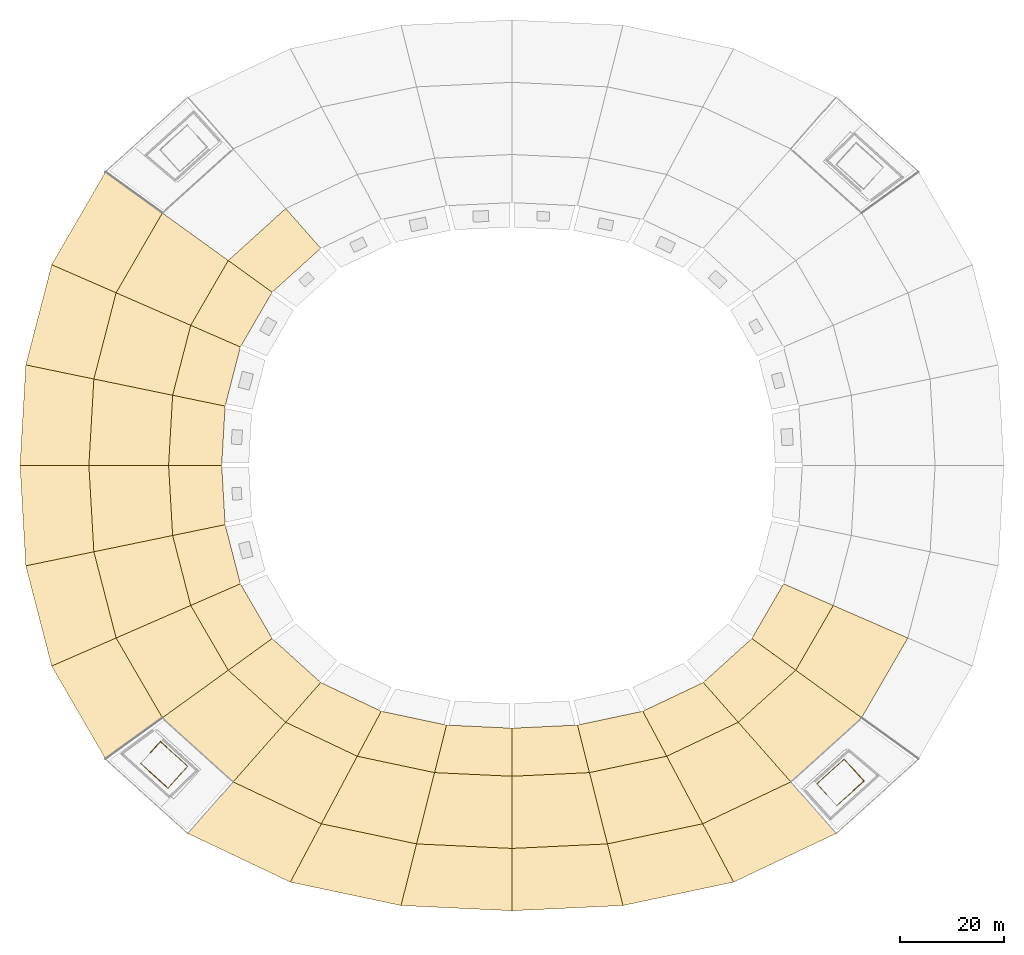
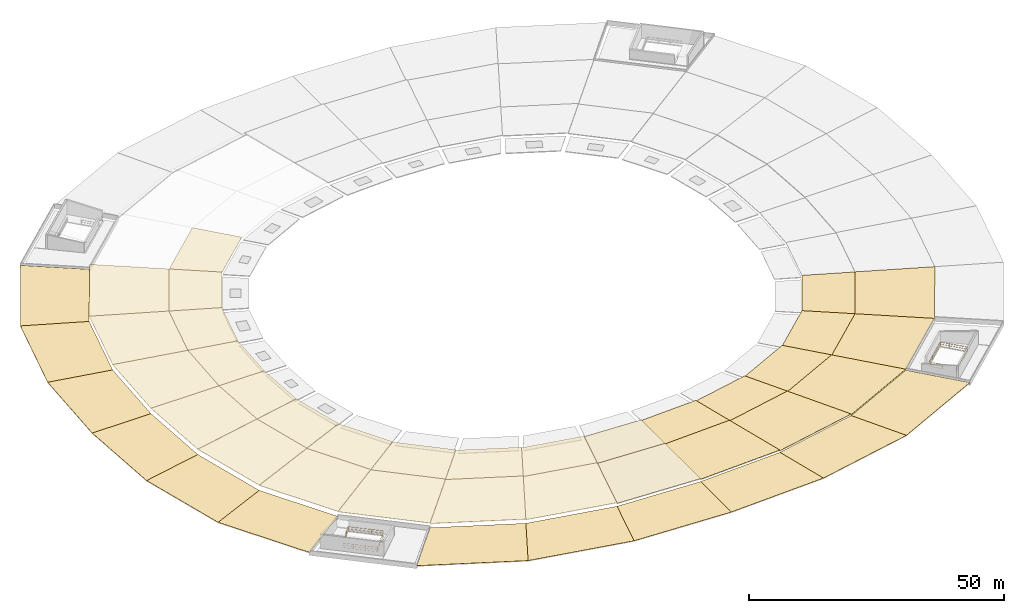
# One storey, part 4 of 5: 43 coverings, 2 railings.
"""IFC4 building model written with IfcOpenShell, lengths in metres."""

from ifc_helpers import new_model, si_unit, direction, frame, origin, origin_2d, place, context, subcontext, project, spatial, polyline, rectangle, outline, extrude, material, layer, layer_set, type_object, element, save


model = new_model("IFC4")

# Units and contexts
model_context = context("Model", 3, precision=1e-05, world=origin(), true_north=direction((0.0, 1.0)))
body_context = subcontext(model_context, "Body", "Model", "MODEL_VIEW")
ifc_project = project(units=[si_unit("LENGTHUNIT", "METRE"), si_unit("AREAUNIT", "SQUARE_METRE"), si_unit("VOLUMEUNIT", "CUBIC_METRE"), si_unit("PLANEANGLEUNIT", "RADIAN"), si_unit("MASSUNIT", "GRAM", prefix="KILO")], contexts=[model_context])

# Site, building, storey
site_placement = place(None, origin())
site = spatial("IfcSite", under=ifc_project, at=site_placement, CompositionType="ELEMENT")
building_placement = place(site_placement, origin())
building = spatial("IfcBuilding", under=site, at=building_placement, Name="Kazemori Nagisa Stadium", CompositionType="ELEMENT")
storey_placement = place(building_placement, frame((0.0, 0.0, 42.159912109375)))
storey = spatial("IfcBuildingStorey", under=building, at=storey_placement, Name="ROOF", CompositionType="ELEMENT", Elevation=42.159912109375)

# Coverings
ifc_material_1 = material(Name="PTFE architectural membrane", Category="membrane")
ifc_layer = layer(ifc_material_1, 0.0400390625, Name="PTFE architectural membrane", Category="membrane")
ifc_layer_set = layer_set([ifc_layer], Name="PTFE architectural membrane")
covering_type = type_object("IfcCoveringType", Name="Covering_PTFE", PredefinedType="ROOFING", material=ifc_layer_set)
covering_1_placement = place(storey_placement, frame((0.0, 0.0, 1.70703125)))
element("IfcCovering", 1, at=covering_1_placement, inside=storey, type_object=covering_type, Name="PTFE canopy membrane B11-inner", PredefinedType="ROOFING", context=body_context, shape_type="SweptSolid", body=[
    extrude(outline(polyline([(79.306640625, 151.59912109375), (68.210205078125, 141.553955078125), (76.687744140625, 135.433837890625), (86.067138671875, 143.9248046875), (79.306640625, 151.59912109375)])), origin(), (0.0, 0.0, 1.0), 0.0400390625),
])
covering_2_placement = place(storey_placement, frame((0.0, 0.0, 0.594970703125)))
element("IfcCovering", 2, at=covering_2_placement, inside=storey, type_object=covering_type, Name="PTFE canopy membrane B12-outer", PredefinedType="ROOFING", context=body_context, shape_type="SweptSolid", body=[
    extrude(outline(polyline([(44.504638671875, 158.667724609375), (34.114990234375, 140.74951171875), (46.55908203125, 135.32470703125), (55.493896484375, 150.734130859375), (44.504638671875, 158.667724609375)])), origin(), (0.0, 0.0, 1.0), 0.0400390625),
])
covering_3_placement = place(storey_placement, frame((0.0, 0.0, 1.79296875)))
element("IfcCovering", 3, at=covering_3_placement, inside=storey, type_object=covering_type, Name="PTFE canopy membrane B12-mid", PredefinedType="ROOFING", context=body_context, shape_type="SweptSolid", body=[
    extrude(outline(polyline([(55.493896484375, 150.734130859375), (46.55908203125, 135.32470703125), (60.958251953125, 129.047119140625), (68.210205078125, 141.553955078125), (55.493896484375, 150.734130859375)])), origin(), (0.0, 0.0, 1.0), 0.0400390625),
])
covering_4_placement = place(storey_placement, frame((0.0, 0.0, 1.79296875)))
element("IfcCovering", 4, at=covering_4_placement, inside=storey, type_object=covering_type, Name="PTFE canopy membrane B12-inner", PredefinedType="ROOFING", context=body_context, shape_type="SweptSolid", body=[
    extrude(outline(polyline([(68.210205078125, 141.553955078125), (60.958251953125, 129.047119140625), (70.557861328125, 124.8623046875), (76.687744140625, 135.433837890625), (68.210205078125, 141.553955078125)])), origin(), (0.0, 0.0, 1.0), 0.0400390625),
])
covering_5_placement = place(storey_placement, frame((0.0, 0.0, 0.594970703125)))
element("IfcCovering", 5, at=covering_5_placement, inside=storey, type_object=covering_type, Name="PTFE canopy membrane B13-outer", PredefinedType="ROOFING", context=body_context, shape_type="SweptSolid", body=[
    extrude(outline(polyline([(34.114990234375, 140.74951171875), (29.119140625, 121.397705078125), (42.262451171875, 118.68212890625), (46.55908203125, 135.32470703125), (34.114990234375, 140.74951171875)])), origin(), (0.0, 0.0, 1.0), 0.0400390625),
])
covering_6_placement = place(storey_placement, frame((0.0, 0.0, 1.84716796875)))
element("IfcCovering", 6, at=covering_6_placement, inside=storey, type_object=covering_type, Name="PTFE canopy membrane B13-mid", PredefinedType="ROOFING", context=body_context, shape_type="SweptSolid", body=[
    extrude(outline(polyline([(46.55908203125, 135.32470703125), (42.262451171875, 118.68212890625), (57.47119140625, 115.53955078125), (60.958251953125, 129.047119140625), (46.55908203125, 135.32470703125)])), origin(), (0.0, 0.0, 1.0), 0.0400390625),
])
covering_7_placement = place(storey_placement, frame((0.0, 0.0, 1.84716796875)))
element("IfcCovering", 7, at=covering_7_placement, inside=storey, type_object=covering_type, Name="PTFE canopy membrane B13-inner", PredefinedType="ROOFING", context=body_context, shape_type="SweptSolid", body=[
    extrude(outline(polyline([(60.958251953125, 129.047119140625), (57.47119140625, 115.53955078125), (67.6103515625, 113.444580078125), (70.557861328125, 124.8623046875), (60.958251953125, 129.047119140625)])), origin(), (0.0, 0.0, 1.0), 0.0400390625),
])
covering_8_placement = place(storey_placement, frame((0.0, 0.0, 0.594970703125)))
element("IfcCovering", 8, at=covering_8_placement, inside=storey, type_object=covering_type, Name="PTFE canopy membrane B14-outer", PredefinedType="ROOFING", context=body_context, shape_type="SweptSolid", body=[
    extrude(outline(polyline([(29.119140625, 121.397705078125), (28.0, 102.0), (41.300048828125, 102.0), (42.262451171875, 118.68212890625), (29.119140625, 121.397705078125)])), origin(), (0.0, 0.0, 1.0), 0.0400390625),
])
covering_9_placement = place(storey_placement, frame((0.0, 0.0, 1.864990234375)))
element("IfcCovering", 9, at=covering_9_placement, inside=storey, type_object=covering_type, Name="PTFE canopy membrane B14-mid", PredefinedType="ROOFING", context=body_context, shape_type="SweptSolid", body=[
    extrude(outline(polyline([(42.262451171875, 118.68212890625), (41.300048828125, 102.0), (56.68994140625, 102.0), (57.47119140625, 115.53955078125), (42.262451171875, 118.68212890625)])), origin(), (0.0, 0.0, 1.0), 0.0400390625),
])
covering_10_placement = place(storey_placement, frame((0.0, 0.0, 1.864990234375)))
element("IfcCovering", 10, at=covering_10_placement, inside=storey, type_object=covering_type, Name="PTFE canopy membrane B14-inner", PredefinedType="ROOFING", context=body_context, shape_type="SweptSolid", body=[
    extrude(outline(polyline([(57.47119140625, 115.53955078125), (56.68994140625, 102.0), (66.949951171875, 102.0), (67.6103515625, 113.444580078125), (57.47119140625, 115.53955078125)])), origin(), (0.0, 0.0, 1.0), 0.0400390625),
])
covering_11_placement = place(storey_placement, frame((0.0, 0.0, 0.594970703125)))
element("IfcCovering", 11, at=covering_11_placement, inside=storey, type_object=covering_type, Name="PTFE canopy membrane B15-outer", PredefinedType="ROOFING", context=body_context, shape_type="SweptSolid", body=[
    extrude(outline(polyline([(28.0, 102.0), (29.119140625, 82.602294921875), (42.262451171875, 85.31787109375), (41.300048828125, 102.0), (28.0, 102.0)])), origin(), (0.0, 0.0, 1.0), 0.0400390625),
])
covering_12_placement = place(storey_placement, frame((0.0, 0.0, 1.864990234375)))
element("IfcCovering", 12, at=covering_12_placement, inside=storey, type_object=covering_type, Name="PTFE canopy membrane B15-mid", PredefinedType="ROOFING", context=body_context, shape_type="SweptSolid", body=[
    extrude(outline(polyline([(41.300048828125, 102.0), (42.262451171875, 85.31787109375), (57.47119140625, 88.46044921875), (56.68994140625, 102.0), (41.300048828125, 102.0)])), origin(), (0.0, 0.0, 1.0), 0.0400390625),
])
covering_13_placement = place(storey_placement, frame((0.0, 0.0, 1.864990234375)))
element("IfcCovering", 13, at=covering_13_placement, inside=storey, type_object=covering_type, Name="PTFE canopy membrane B15-inner", PredefinedType="ROOFING", context=body_context, shape_type="SweptSolid", body=[
    extrude(outline(polyline([(56.68994140625, 102.0), (57.47119140625, 88.46044921875), (67.6103515625, 90.555419921875), (66.949951171875, 102.0), (56.68994140625, 102.0)])), origin(), (0.0, 0.0, 1.0), 0.0400390625),
])
covering_14_placement = place(storey_placement, frame((0.0, 0.0, 0.594970703125)))
element("IfcCovering", 14, at=covering_14_placement, inside=storey, type_object=covering_type, Name="PTFE canopy membrane B16-outer", PredefinedType="ROOFING", context=body_context, shape_type="SweptSolid", body=[
    extrude(outline(polyline([(29.119140625, 82.602294921875), (34.114990234375, 63.25048828125), (46.55908203125, 68.67529296875), (42.262451171875, 85.31787109375), (29.119140625, 82.602294921875)])), origin(), (0.0, 0.0, 1.0), 0.0400390625),
])
covering_15_placement = place(storey_placement, frame((0.0, 0.0, 1.84716796875)))
element("IfcCovering", 15, at=covering_15_placement, inside=storey, type_object=covering_type, Name="PTFE canopy membrane B16-mid", PredefinedType="ROOFING", context=body_context, shape_type="SweptSolid", body=[
    extrude(outline(polyline([(42.262451171875, 85.31787109375), (46.55908203125, 68.67529296875), (60.958251953125, 74.952880859375), (57.47119140625, 88.46044921875), (42.262451171875, 85.31787109375)])), origin(), (0.0, 0.0, 1.0), 0.0400390625),
])
covering_16_placement = place(storey_placement, frame((0.0, 0.0, 1.84716796875)))
element("IfcCovering", 16, at=covering_16_placement, inside=storey, type_object=covering_type, Name="PTFE canopy membrane B16-inner", PredefinedType="ROOFING", context=body_context, shape_type="SweptSolid", body=[
    extrude(outline(polyline([(57.47119140625, 88.46044921875), (60.958251953125, 74.952880859375), (70.557861328125, 79.1376953125), (67.6103515625, 90.555419921875), (57.47119140625, 88.46044921875)])), origin(), (0.0, 0.0, 1.0), 0.0400390625),
])
covering_17_placement = place(storey_placement, frame((0.0, 0.0, 0.594970703125)))
element("IfcCovering", 17, at=covering_17_placement, inside=storey, type_object=covering_type, Name="PTFE canopy membrane B17-outer", PredefinedType="ROOFING", context=body_context, shape_type="SweptSolid", body=[
    extrude(outline(polyline([(34.114990234375, 63.25048828125), (44.504638671875, 45.332275390625), (55.493896484375, 53.265869140625), (46.55908203125, 68.67529296875), (34.114990234375, 63.25048828125)])), origin(), (0.0, 0.0, 1.0), 0.0400390625),
])
covering_18_placement = place(storey_placement, frame((0.0, 0.0, 1.79296875)))
element("IfcCovering", 18, at=covering_18_placement, inside=storey, type_object=covering_type, Name="PTFE canopy membrane B17-mid", PredefinedType="ROOFING", context=body_context, shape_type="SweptSolid", body=[
    extrude(outline(polyline([(46.55908203125, 68.67529296875), (55.493896484375, 53.265869140625), (68.210205078125, 62.446044921875), (60.958251953125, 74.952880859375), (46.55908203125, 68.67529296875)])), origin(), (0.0, 0.0, 1.0), 0.0400390625),
])
covering_19_placement = place(storey_placement, frame((0.0, 0.0, 1.79296875)))
element("IfcCovering", 19, at=covering_19_placement, inside=storey, type_object=covering_type, Name="PTFE canopy membrane B17-inner", PredefinedType="ROOFING", context=body_context, shape_type="SweptSolid", body=[
    extrude(outline(polyline([(60.958251953125, 74.952880859375), (68.210205078125, 62.446044921875), (76.687744140625, 68.566162109375), (70.557861328125, 79.1376953125), (60.958251953125, 74.952880859375)])), origin(), (0.0, 0.0, 1.0), 0.0400390625),
])
covering_20_placement = place(storey_placement, frame((0.0, 0.0, 1.70703125)))
element("IfcCovering", 20, at=covering_20_placement, inside=storey, type_object=covering_type, Name="PTFE canopy membrane B18-mid", PredefinedType="ROOFING", context=body_context, shape_type="SweptSolid", body=[
    extrude(outline(polyline([(55.493896484375, 53.265869140625), (69.165771484375, 40.88916015625), (79.306640625, 52.40087890625), (68.210205078125, 62.446044921875), (55.493896484375, 53.265869140625)])), origin(), (0.0, 0.0, 1.0), 0.0400390625),
])
covering_21_placement = place(storey_placement, frame((0.0, 0.0, 1.70703125)))
element("IfcCovering", 21, at=covering_21_placement, inside=storey, type_object=covering_type, Name="PTFE canopy membrane B18-inner", PredefinedType="ROOFING", context=body_context, shape_type="SweptSolid", body=[
    extrude(outline(polyline([(68.210205078125, 62.446044921875), (79.306640625, 52.40087890625), (86.067138671875, 60.0751953125), (76.687744140625, 68.566162109375), (68.210205078125, 62.446044921875)])), origin(), (0.0, 0.0, 1.0), 0.0400390625),
])
covering_22_placement = place(storey_placement, frame((0.0, 0.0, 0.594970703125)))
element("IfcCovering", 22, at=covering_22_placement, inside=storey, type_object=covering_type, Name="PTFE canopy membrane B19-outer", PredefinedType="ROOFING", context=body_context, shape_type="SweptSolid", body=[
    extrude(outline(polyline([(60.402099609375, 30.94091796875), (80.1953125, 21.53564453125), (86.18798828125, 32.80078125), (69.165771484375, 40.88916015625), (60.402099609375, 30.94091796875)])), origin(), (0.0, 0.0, 1.0), 0.0400390625),
])
covering_23_placement = place(storey_placement, frame((0.0, 0.0, 1.592041015625)))
element("IfcCovering", 23, at=covering_23_placement, inside=storey, type_object=covering_type, Name="PTFE canopy membrane B19-mid", PredefinedType="ROOFING", context=body_context, shape_type="SweptSolid", body=[
    extrude(outline(polyline([(69.165771484375, 40.88916015625), (86.18798828125, 32.80078125), (93.122314453125, 45.8359375), (79.306640625, 52.40087890625), (69.165771484375, 40.88916015625)])), origin(), (0.0, 0.0, 1.0), 0.0400390625),
])
covering_24_placement = place(storey_placement, frame((0.0, 0.0, 1.592041015625)))
element("IfcCovering", 24, at=covering_24_placement, inside=storey, type_object=covering_type, Name="PTFE canopy membrane B19-inner", PredefinedType="ROOFING", context=body_context, shape_type="SweptSolid", body=[
    extrude(outline(polyline([(79.306640625, 52.40087890625), (93.122314453125, 45.8359375), (97.7451171875, 54.526123046875), (86.067138671875, 60.0751953125), (79.306640625, 52.40087890625)])), origin(), (0.0, 0.0, 1.0), 0.0400390625),
])
covering_25_placement = place(storey_placement, frame((0.0, 0.0, 0.594970703125)))
element("IfcCovering", 25, at=covering_25_placement, inside=storey, type_object=covering_type, Name="PTFE canopy membrane B20-outer", PredefinedType="ROOFING", context=body_context, shape_type="SweptSolid", body=[
    extrude(outline(polyline([(80.1953125, 21.53564453125), (101.572265625, 17.01318359375), (104.572265625, 28.911376953125), (86.18798828125, 32.80078125), (80.1953125, 21.53564453125)])), origin(), (0.0, 0.0, 1.0), 0.0400390625),
])
covering_26_placement = place(storey_placement, frame((0.0, 0.0, 1.455078125)))
element("IfcCovering", 26, at=covering_26_placement, inside=storey, type_object=covering_type, Name="PTFE canopy membrane B20-mid", PredefinedType="ROOFING", context=body_context, shape_type="SweptSolid", body=[
    extrude(outline(polyline([(86.18798828125, 32.80078125), (104.572265625, 28.911376953125), (108.04345703125, 42.67919921875), (93.122314453125, 45.8359375), (86.18798828125, 32.80078125)])), origin(), (0.0, 0.0, 1.0), 0.0400390625),
])
covering_27_placement = place(storey_placement, frame((0.0, 0.0, 1.455078125)))
element("IfcCovering", 27, at=covering_27_placement, inside=storey, type_object=covering_type, Name="PTFE canopy membrane B20-inner", PredefinedType="ROOFING", context=body_context, shape_type="SweptSolid", body=[
    extrude(outline(polyline([(93.122314453125, 45.8359375), (108.04345703125, 42.67919921875), (110.357666015625, 51.857666015625), (97.7451171875, 54.526123046875), (93.122314453125, 45.8359375)])), origin(), (0.0, 0.0, 1.0), 0.0400390625),
])
covering_28_placement = place(storey_placement, frame((0.0, 0.0, 0.594970703125)))
element("IfcCovering", 28, at=covering_28_placement, inside=storey, type_object=covering_type, Name="PTFE canopy membrane B21-outer", PredefinedType="ROOFING", context=body_context, shape_type="SweptSolid", body=[
    extrude(outline(polyline([(101.572265625, 17.01318359375), (123.0, 16.0), (123.0, 28.0400390625), (104.572265625, 28.911376953125), (101.572265625, 17.01318359375)])), origin(), (0.0, 0.0, 1.0), 0.0400390625),
])
covering_29_placement = place(storey_placement, frame((0.0, 0.0, 1.301025390625)))
element("IfcCovering", 29, at=covering_29_placement, inside=storey, type_object=covering_type, Name="PTFE canopy membrane B21-mid", PredefinedType="ROOFING", context=body_context, shape_type="SweptSolid", body=[
    extrude(outline(polyline([(104.572265625, 28.911376953125), (123.0, 28.0400390625), (123.0, 41.971923828125), (108.04345703125, 42.67919921875), (104.572265625, 28.911376953125)])), origin(), (0.0, 0.0, 1.0), 0.0400390625),
])
covering_30_placement = place(storey_placement, frame((0.0, 0.0, 1.301025390625)))
element("IfcCovering", 30, at=covering_30_placement, inside=storey, type_object=covering_type, Name="PTFE canopy membrane B21-inner", PredefinedType="ROOFING", context=body_context, shape_type="SweptSolid", body=[
    extrude(outline(polyline([(108.04345703125, 42.67919921875), (123.0, 41.971923828125), (123.0, 51.260009765625), (110.357666015625, 51.857666015625), (108.04345703125, 42.67919921875)])), origin(), (0.0, 0.0, 1.0), 0.0400390625),
])
covering_31_placement = place(storey_placement, frame((0.0, 0.0, 0.594970703125)))
element("IfcCovering", 31, at=covering_31_placement, inside=storey, type_object=covering_type, Name="PTFE canopy membrane B22-outer", PredefinedType="ROOFING", context=body_context, shape_type="SweptSolid", body=[
    extrude(outline(polyline([(123.0, 16.0), (144.427734375, 17.01318359375), (141.427734375, 28.911376953125), (123.0, 28.0400390625), (123.0, 16.0)])), origin(), (0.0, 0.0, 1.0), 0.0400390625),
])
covering_32_placement = place(storey_placement, frame((0.0, 0.0, 1.14013671875)))
element("IfcCovering", 32, at=covering_32_placement, inside=storey, type_object=covering_type, Name="PTFE canopy membrane B22-mid", PredefinedType="ROOFING", context=body_context, shape_type="SweptSolid", body=[
    extrude(outline(polyline([(123.0, 28.0400390625), (141.427734375, 28.911376953125), (137.95654296875, 42.67919921875), (123.0, 41.971923828125), (123.0, 28.0400390625)])), origin(), (0.0, 0.0, 1.0), 0.0400390625),
])
covering_33_placement = place(storey_placement, frame((0.0, 0.0, 1.14013671875)))
element("IfcCovering", 33, at=covering_33_placement, inside=storey, type_object=covering_type, Name="PTFE canopy membrane B22-inner", PredefinedType="ROOFING", context=body_context, shape_type="SweptSolid", body=[
    extrude(outline(polyline([(123.0, 41.971923828125), (137.95654296875, 42.67919921875), (135.642333984375, 51.857666015625), (123.0, 51.260009765625), (123.0, 41.971923828125)])), origin(), (0.0, 0.0, 1.0), 0.0400390625),
])
covering_34_placement = place(storey_placement, frame((0.0, 0.0, 0.594970703125)))
element("IfcCovering", 34, at=covering_34_placement, inside=storey, type_object=covering_type, Name="PTFE canopy membrane B23-outer", PredefinedType="ROOFING", context=body_context, shape_type="SweptSolid", body=[
    extrude(outline(polyline([(144.427734375, 17.01318359375), (165.8046875, 21.53564453125), (159.81201171875, 32.80078125), (141.427734375, 28.911376953125), (144.427734375, 17.01318359375)])), origin(), (0.0, 0.0, 1.0), 0.0400390625),
])
covering_35_placement = place(storey_placement, frame((0.0, 0.0, 0.97900390625)))
element("IfcCovering", 35, at=covering_35_placement, inside=storey, type_object=covering_type, Name="PTFE canopy membrane B23-mid", PredefinedType="ROOFING", context=body_context, shape_type="SweptSolid", body=[
    extrude(outline(polyline([(141.427734375, 28.911376953125), (159.81201171875, 32.80078125), (152.877685546875, 45.8359375), (137.95654296875, 42.67919921875), (141.427734375, 28.911376953125)])), origin(), (0.0, 0.0, 1.0), 0.0400390625),
])
covering_36_placement = place(storey_placement, frame((0.0, 0.0, 0.97900390625)))
element("IfcCovering", 36, at=covering_36_placement, inside=storey, type_object=covering_type, Name="PTFE canopy membrane B23-inner", PredefinedType="ROOFING", context=body_context, shape_type="SweptSolid", body=[
    extrude(outline(polyline([(137.95654296875, 42.67919921875), (152.877685546875, 45.8359375), (148.2548828125, 54.526123046875), (135.642333984375, 51.857666015625), (137.95654296875, 42.67919921875)])), origin(), (0.0, 0.0, 1.0), 0.0400390625),
])
covering_37_placement = place(storey_placement, frame((0.0, 0.0, 0.594970703125)))
element("IfcCovering", 37, at=covering_37_placement, inside=storey, type_object=covering_type, Name="PTFE canopy membrane B24-outer", PredefinedType="ROOFING", context=body_context, shape_type="SweptSolid", body=[
    extrude(outline(polyline([(165.8046875, 21.53564453125), (185.597900390625, 30.94091796875), (176.834228515625, 40.88916015625), (159.81201171875, 32.80078125), (165.8046875, 21.53564453125)])), origin(), (0.0, 0.0, 1.0), 0.0400390625),
])
covering_38_placement = place(storey_placement, frame((0.0, 0.0, 0.8251953125)))
element("IfcCovering", 38, at=covering_38_placement, inside=storey, type_object=covering_type, Name="PTFE canopy membrane B24-mid", PredefinedType="ROOFING", context=body_context, shape_type="SweptSolid", body=[
    extrude(outline(polyline([(159.81201171875, 32.80078125), (176.834228515625, 40.88916015625), (166.693359375, 52.40087890625), (152.877685546875, 45.8359375), (159.81201171875, 32.80078125)])), origin(), (0.0, 0.0, 1.0), 0.039794921875),
])
covering_39_placement = place(storey_placement, frame((0.0, 0.0, 0.8251953125)))
element("IfcCovering", 39, at=covering_39_placement, inside=storey, type_object=covering_type, Name="PTFE canopy membrane B24-inner", PredefinedType="ROOFING", context=body_context, shape_type="SweptSolid", body=[
    extrude(outline(polyline([(152.877685546875, 45.8359375), (166.693359375, 52.40087890625), (159.932861328125, 60.0751953125), (148.2548828125, 54.526123046875), (152.877685546875, 45.8359375)])), origin(), (0.0, 0.0, 1.0), 0.039794921875),
])
covering_40_placement = place(storey_placement, frame((0.0, 0.0, 0.68798828125)))
element("IfcCovering", 40, at=covering_40_placement, inside=storey, type_object=covering_type, Name="PTFE canopy membrane B25-mid", PredefinedType="ROOFING", context=body_context, shape_type="SweptSolid", body=[
    extrude(outline(polyline([(176.834228515625, 40.88916015625), (190.506103515625, 53.265869140625), (177.789794921875, 62.446044921875), (166.693359375, 52.40087890625), (176.834228515625, 40.88916015625)])), origin(), (0.0, 0.0, 1.0), 0.0400390625),
])
covering_41_placement = place(storey_placement, frame((0.0, 0.0, 0.68798828125)))
element("IfcCovering", 41, at=covering_41_placement, inside=storey, type_object=covering_type, Name="PTFE canopy membrane B25-inner", PredefinedType="ROOFING", context=body_context, shape_type="SweptSolid", body=[
    extrude(outline(polyline([(166.693359375, 52.40087890625), (177.789794921875, 62.446044921875), (169.312255859375, 68.566162109375), (159.932861328125, 60.0751953125), (166.693359375, 52.40087890625)])), origin(), (0.0, 0.0, 1.0), 0.0400390625),
])
covering_42_placement = place(storey_placement, frame((0.0, 0.0, 0.594970703125)))
element("IfcCovering", 42, at=covering_42_placement, inside=storey, type_object=covering_type, Name="PTFE canopy membrane B26-mid", PredefinedType="ROOFING", context=body_context, shape_type="SweptSolid", body=[
    extrude(outline(polyline([(190.506103515625, 53.265869140625), (199.44091796875, 68.67529296875), (185.041748046875, 74.952880859375), (177.789794921875, 62.446044921875), (190.506103515625, 53.265869140625)])), origin(), (0.0, 0.0, 1.0), 0.0400390625),
])
covering_43_placement = place(storey_placement, frame((0.0, 0.0, 0.572998046875)))
element("IfcCovering", 43, at=covering_43_placement, inside=storey, type_object=covering_type, Name="PTFE canopy membrane B26-inner", PredefinedType="ROOFING", context=body_context, shape_type="SweptSolid", body=[
    extrude(outline(polyline([(177.789794921875, 62.446044921875), (185.041748046875, 74.952880859375), (175.442138671875, 79.1376953125), (169.312255859375, 68.566162109375), (177.789794921875, 62.446044921875)])), origin(), (0.0, 0.0, 1.0), 0.0400390625),
])

# Railings
ifc_material_2 = material(Name="Galvanised powder-coated steel", Category="steel")
railing_type = type_object("IfcRailingType", Name="Rail_GUARD", PredefinedType="GUARDRAIL", material=ifc_material_2)
railing_1_placement = place(storey_placement, frame((53.2109375, 46.552978515625, 0.0)))
element("IfcRailing", 44, at=railing_1_placement, inside=storey, type_object=railing_type, Name="Stair well perimeter guard ST03-ROOF", PredefinedType="GUARDRAIL", context=body_context, shape_type="SweptSolid", body=[
    extrude(rectangle(XDim=0.050048828125, YDim=0.050048828125, at=origin_2d()), frame((0.0, 0.0, 1.09521484375), z_axis=(0.671110696127, 0.741357156534, 0.0), x_axis=(-0.741357156534, 0.671110696127, 0.0)), (0.0, 0.0, 1.0), 2.849853515625),
    extrude(rectangle(XDim=0.03759765625, YDim=0.03759765625, at=origin_2d()), frame((0.0, 0.0, 0.58251953125), z_axis=(0.671110696127, 0.741357156534, 0.0), x_axis=(-0.741357156534, 0.671110696127, 0.0)), (0.0, 0.0, 1.0), 2.849853515625),
    extrude(rectangle(XDim=0.03759765625, YDim=0.03759765625, at=origin_2d()), frame((0.0, 0.0, 0.02490234375), z_axis=(0.671110696127, 0.741357156534, 0.0), x_axis=(-0.741357156534, 0.671110696127, 0.0)), (0.0, 0.0, 1.0), 2.849853515625),
    extrude(rectangle(XDim=0.050048828125, YDim=0.050048828125, at=origin_2d()), frame((1.91259765625, 2.11279296875, 1.09521484375), z_axis=(0.741349073354, -0.671119625281, 0.0), x_axis=(0.671119625281, 0.741349073354, 0.0)), (0.0, 0.0, 1.0), 7.09521484375),
    extrude(rectangle(XDim=0.03759765625, YDim=0.03759765625, at=origin_2d()), frame((1.91259765625, 2.11279296875, 0.58251953125), z_axis=(0.741349073354, -0.671119625281, 0.0), x_axis=(0.671119625281, 0.741349073354, 0.0)), (0.0, 0.0, 1.0), 7.09521484375),
    extrude(rectangle(XDim=0.03759765625, YDim=0.03759765625, at=origin_2d()), frame((1.91259765625, 2.11279296875, 0.02490234375), z_axis=(0.741349073354, -0.671119625281, 0.0), x_axis=(0.671119625281, 0.741349073354, 0.0)), (0.0, 0.0, 1.0), 7.09521484375),
    extrude(rectangle(XDim=0.050048828125, YDim=0.050048828125, at=origin_2d()), frame((7.172607421875, -2.64892578125, 1.09521484375), z_axis=(-0.67113423669, -0.74133584585, 0.0), x_axis=(0.74133584585, -0.67113423669, 0.0)), (0.0, 0.0, 1.0), 5.699951171875),
    extrude(rectangle(XDim=0.03759765625, YDim=0.03759765625, at=origin_2d()), frame((7.172607421875, -2.64892578125, 0.58251953125), z_axis=(-0.67113423669, -0.74133584585, 0.0), x_axis=(0.74133584585, -0.67113423669, 0.0)), (0.0, 0.0, 1.0), 5.699951171875),
    extrude(rectangle(XDim=0.03759765625, YDim=0.03759765625, at=origin_2d()), frame((7.172607421875, -2.64892578125, 0.02490234375), z_axis=(-0.67113423669, -0.74133584585, 0.0), x_axis=(0.74133584585, -0.67113423669, 0.0)), (0.0, 0.0, 1.0), 5.699951171875),
    extrude(rectangle(XDim=0.050048828125, YDim=0.050048828125, at=origin_2d()), frame((3.34716796875, -6.87451171875, 1.09521484375), z_axis=(-0.741350695223, 0.671117833686, 0.0), x_axis=(-0.671117833686, -0.741350695223, 0.0)), (0.0, 0.0, 1.0), 7.0947265625),
    extrude(rectangle(XDim=0.03759765625, YDim=0.03759765625, at=origin_2d()), frame((3.34716796875, -6.87451171875, 0.58251953125), z_axis=(-0.741350695223, 0.671117833686, 0.0), x_axis=(-0.671117833686, -0.741350695223, 0.0)), (0.0, 0.0, 1.0), 7.0947265625),
    extrude(rectangle(XDim=0.03759765625, YDim=0.03759765625, at=origin_2d()), frame((3.34716796875, -6.87451171875, 0.02490234375), z_axis=(-0.741350695223, 0.671117833686, 0.0), x_axis=(-0.671117833686, -0.741350695223, 0.0)), (0.0, 0.0, 1.0), 7.0947265625),
    extrude(rectangle(XDim=0.044921875, YDim=0.044921875, at=origin_2d()), origin(), (0.0, 0.0, 1.0), 1.070068359375),
    extrude(rectangle(XDim=0.044921875, YDim=0.044921875, at=origin_2d()), frame((0.956298828125, 1.056396484375, 0.0)), (0.0, 0.0, 1.0), 1.070068359375),
    extrude(rectangle(XDim=0.044921875, YDim=0.044921875, at=origin_2d()), frame((1.91259765625, 2.11279296875, 0.0)), (0.0, 0.0, 1.0), 1.070068359375),
    extrude(rectangle(XDim=0.044921875, YDim=0.044921875, at=origin_2d()), frame((3.666015625, 0.525634765625, 0.0)), (0.0, 0.0, 1.0), 1.070068359375),
    extrude(rectangle(XDim=0.044921875, YDim=0.044921875, at=origin_2d()), frame((5.419189453125, -1.061767578125, 0.0)), (0.0, 0.0, 1.0), 1.070068359375),
    extrude(rectangle(XDim=0.044921875, YDim=0.044921875, at=origin_2d()), frame((7.172607421875, -2.64892578125, 0.0)), (0.0, 0.0, 1.0), 1.070068359375),
    extrude(rectangle(XDim=0.044921875, YDim=0.044921875, at=origin_2d()), frame((5.8974609375, -4.057373046875, 0.0)), (0.0, 0.0, 1.0), 1.070068359375),
    extrude(rectangle(XDim=0.044921875, YDim=0.044921875, at=origin_2d()), frame((4.622314453125, -5.466064453125, 0.0)), (0.0, 0.0, 1.0), 1.070068359375),
    extrude(rectangle(XDim=0.044921875, YDim=0.044921875, at=origin_2d()), frame((3.34716796875, -6.87451171875, 0.0)), (0.0, 0.0, 1.0), 1.070068359375),
    extrude(rectangle(XDim=0.044921875, YDim=0.044921875, at=origin_2d()), frame((1.593994140625, -5.287353515625, 0.0)), (0.0, 0.0, 1.0), 1.070068359375),
    extrude(rectangle(XDim=0.044921875, YDim=0.044921875, at=origin_2d()), frame((-0.159423828125, -3.7001953125, 0.0)), (0.0, 0.0, 1.0), 1.070068359375),
    extrude(rectangle(XDim=0.044921875, YDim=0.044921875, at=origin_2d()), frame((-1.91259765625, -2.113037109375, 0.0)), (0.0, 0.0, 1.0), 1.070068359375),
])
railing_2_placement = place(storey_placement, frame((183.79150390625, 38.40771484375, 0.0)))
element("IfcRailing", 45, at=railing_2_placement, inside=storey, type_object=railing_type, Name="Stair well perimeter guard ST04-ROOF", PredefinedType="GUARDRAIL", context=body_context, shape_type="SweptSolid", body=[
    extrude(rectangle(XDim=0.050048828125, YDim=0.050048828125, at=origin_2d()), frame((0.0, 0.0, 1.09521484375), z_axis=(-0.671110696127, 0.741357156534, 0.0), x_axis=(-0.741357156534, -0.671110696127, 0.0)), (0.0, 0.0, 1.0), 2.849853515625),
    extrude(rectangle(XDim=0.03759765625, YDim=0.03759765625, at=origin_2d()), frame((0.0, 0.0, 0.58251953125), z_axis=(-0.671110696127, 0.741357156534, 0.0), x_axis=(-0.741357156534, -0.671110696127, 0.0)), (0.0, 0.0, 1.0), 2.849853515625),
    extrude(rectangle(XDim=0.03759765625, YDim=0.03759765625, at=origin_2d()), frame((0.0, 0.0, 0.02490234375), z_axis=(-0.671110696127, 0.741357156534, 0.0), x_axis=(-0.741357156534, -0.671110696127, 0.0)), (0.0, 0.0, 1.0), 2.849853515625),
    extrude(rectangle(XDim=0.050048828125, YDim=0.050048828125, at=origin_2d()), frame((-1.91259765625, 2.11279296875, 1.09521484375), z_axis=(0.741333574744, 0.671136745349, 0.0), x_axis=(-0.671136745349, 0.741333574744, 0.0)), (0.0, 0.0, 1.0), 7.094970703125),
    extrude(rectangle(XDim=0.03759765625, YDim=0.03759765625, at=origin_2d()), frame((-1.91259765625, 2.11279296875, 0.58251953125), z_axis=(0.741333574744, 0.671136745349, 0.0), x_axis=(-0.671136745349, 0.741333574744, 0.0)), (0.0, 0.0, 1.0), 7.094970703125),
    extrude(rectangle(XDim=0.03759765625, YDim=0.03759765625, at=origin_2d()), frame((-1.91259765625, 2.11279296875, 0.02490234375), z_axis=(0.741333574744, 0.671136745349, 0.0), x_axis=(-0.671136745349, 0.741333574744, 0.0)), (0.0, 0.0, 1.0), 7.094970703125),
    extrude(rectangle(XDim=0.050048828125, YDim=0.050048828125, at=origin_2d()), frame((3.34716796875, 6.87451171875, 1.09521484375), z_axis=(0.671112926645, -0.74135513736, 0.0), x_axis=(0.74135513736, 0.671112926645, 0.0)), (0.0, 0.0, 1.0), 5.7001953125),
    extrude(rectangle(XDim=0.03759765625, YDim=0.03759765625, at=origin_2d()), frame((3.34716796875, 6.87451171875, 0.58251953125), z_axis=(0.671112926645, -0.74135513736, 0.0), x_axis=(0.74135513736, 0.671112926645, 0.0)), (0.0, 0.0, 1.0), 5.7001953125),
    extrude(rectangle(XDim=0.03759765625, YDim=0.03759765625, at=origin_2d()), frame((3.34716796875, 6.87451171875, 0.02490234375), z_axis=(0.671112926645, -0.74135513736, 0.0), x_axis=(0.74135513736, 0.671112926645, 0.0)), (0.0, 0.0, 1.0), 5.7001953125),
    extrude(rectangle(XDim=0.050048828125, YDim=0.050048828125, at=origin_2d()), frame((7.172607421875, 2.648681640625, 1.09521484375), z_axis=(-0.741366193318, -0.67110071331, 0.0), x_axis=(0.67110071331, -0.741366193318, 0.0)), (0.0, 0.0, 1.0), 7.094970703125),
    extrude(rectangle(XDim=0.03759765625, YDim=0.03759765625, at=origin_2d()), frame((7.172607421875, 2.648681640625, 0.58251953125), z_axis=(-0.741366193318, -0.67110071331, 0.0), x_axis=(0.67110071331, -0.741366193318, 0.0)), (0.0, 0.0, 1.0), 7.094970703125),
    extrude(rectangle(XDim=0.03759765625, YDim=0.03759765625, at=origin_2d()), frame((7.172607421875, 2.648681640625, 0.02490234375), z_axis=(-0.741366193318, -0.67110071331, 0.0), x_axis=(0.67110071331, -0.741366193318, 0.0)), (0.0, 0.0, 1.0), 7.094970703125),
    extrude(rectangle(XDim=0.044921875, YDim=0.044921875, at=origin_2d()), origin(), (0.0, 0.0, 1.0), 1.070068359375),
    extrude(rectangle(XDim=0.044921875, YDim=0.044921875, at=origin_2d()), frame((-0.956298828125, 1.056396484375, 0.0)), (0.0, 0.0, 1.0), 1.070068359375),
    extrude(rectangle(XDim=0.044921875, YDim=0.044921875, at=origin_2d()), frame((-1.91259765625, 2.11279296875, 0.0)), (0.0, 0.0, 1.0), 1.070068359375),
    extrude(rectangle(XDim=0.044921875, YDim=0.044921875, at=origin_2d()), frame((-0.159423828125, 3.699951171875, 0.0)), (0.0, 0.0, 1.0), 1.070068359375),
    extrude(rectangle(XDim=0.044921875, YDim=0.044921875, at=origin_2d()), frame((1.593994140625, 5.287353515625, 0.0)), (0.0, 0.0, 1.0), 1.070068359375),
    extrude(rectangle(XDim=0.044921875, YDim=0.044921875, at=origin_2d()), frame((3.34716796875, 6.87451171875, 0.0)), (0.0, 0.0, 1.0), 1.070068359375),
    extrude(rectangle(XDim=0.044921875, YDim=0.044921875, at=origin_2d()), frame((4.622314453125, 5.4658203125, 0.0)), (0.0, 0.0, 1.0), 1.070068359375),
    extrude(rectangle(XDim=0.044921875, YDim=0.044921875, at=origin_2d()), frame((5.8974609375, 4.057373046875, 0.0)), (0.0, 0.0, 1.0), 1.070068359375),
    extrude(rectangle(XDim=0.044921875, YDim=0.044921875, at=origin_2d()), frame((7.172607421875, 2.648681640625, 0.0)), (0.0, 0.0, 1.0), 1.070068359375),
    extrude(rectangle(XDim=0.044921875, YDim=0.044921875, at=origin_2d()), frame((5.419189453125, 1.0615234375, 0.0)), (0.0, 0.0, 1.0), 1.070068359375),
    extrude(rectangle(XDim=0.044921875, YDim=0.044921875, at=origin_2d()), frame((3.666015625, -0.525634765625, 0.0)), (0.0, 0.0, 1.0), 1.070068359375),
    extrude(rectangle(XDim=0.044921875, YDim=0.044921875, at=origin_2d()), frame((1.91259765625, -2.11279296875, 0.0)), (0.0, 0.0, 1.0), 1.070068359375),
])

save(model, "model.ifc")
